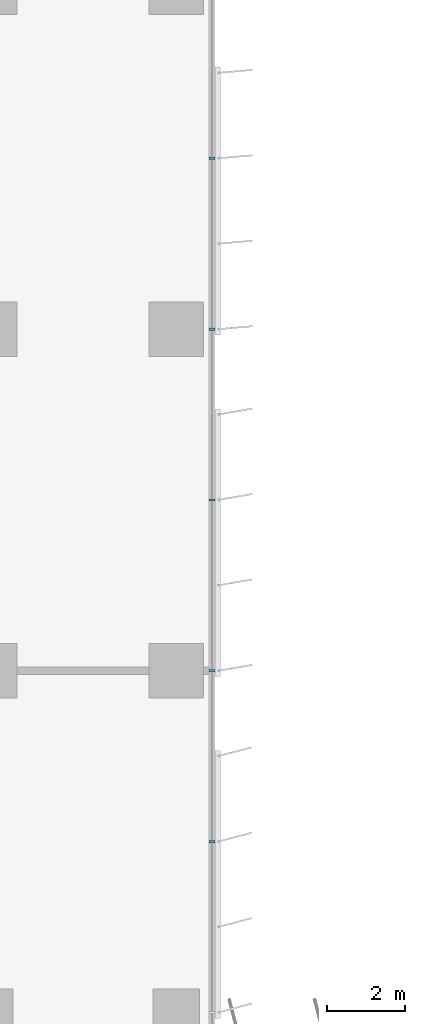
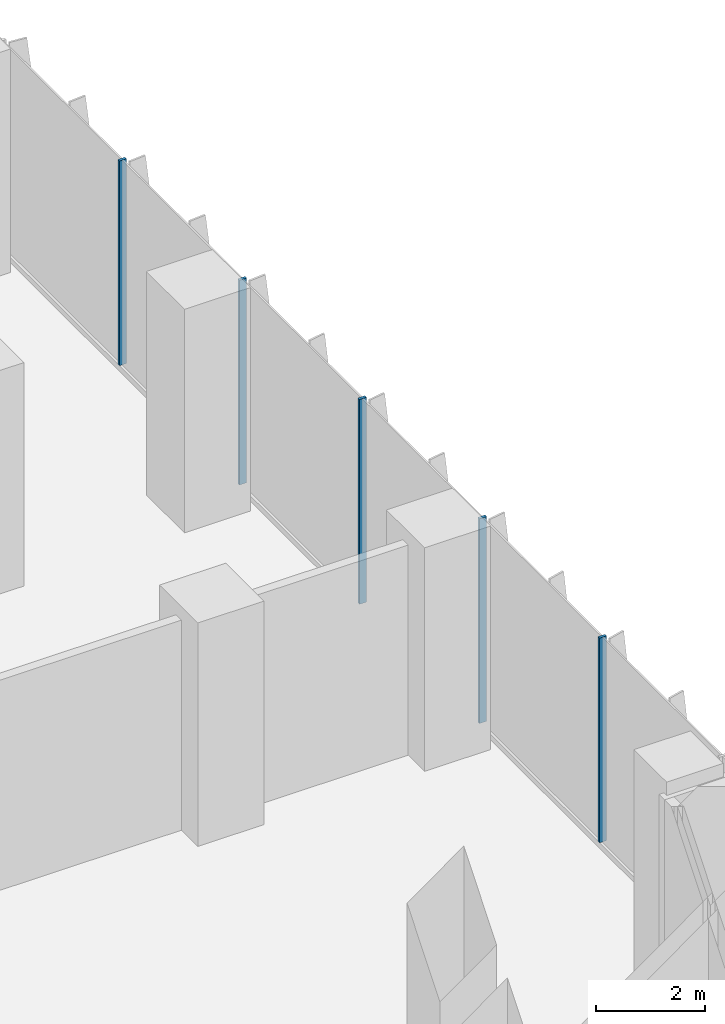
# One storey, part 5 of 23: 5 members, 1 element without a shape of its own.
"""IFC4 building model written with IfcOpenShell, lengths in metres."""

from ifc_helpers import new_model, si_unit, direction, frame, origin, origin_2d, place, context, subcontext, project, spatial, rectangle, extrude, source, transform, mapped, material, material_profile, profile_set, type_object, element, aggregate, save


model = new_model("IFC4")

# Units and contexts
model_context = context("Model", 3, precision=1e-05, world=origin(), true_north=direction((0.0, 1.0)))
body_context = subcontext(model_context, "Body", "Model", "MODEL_VIEW")
ifc_project = project(units=[si_unit("LENGTHUNIT", "METRE"), si_unit("AREAUNIT", "SQUARE_METRE"), si_unit("VOLUMEUNIT", "CUBIC_METRE"), si_unit("PLANEANGLEUNIT", "RADIAN"), si_unit("MASSUNIT", "GRAM", prefix="KILO")], contexts=[model_context])

# Site, building, storey
site_placement = place(None, origin())
site = spatial("IfcSite", under=ifc_project, at=site_placement, CompositionType="ELEMENT")
building_placement = place(site_placement, origin())
building = spatial("IfcBuilding", under=site, at=building_placement, Name="Kemantara Hotel Tower", CompositionType="ELEMENT")
storey_placement = place(building_placement, frame((0.0, 0.0, 71.0)))
storey = spatial("IfcBuildingStorey", under=building, at=storey_placement, Name="L16", CompositionType="ELEMENT", Elevation=71.0)

# Curtain wall, members
ifc_material_1 = material(Name="Low-E tinted double insulated glass 36 mm", Category="glass")
curtain_wall_type = type_object("IfcCurtainWallType", Name="TOWER CURTAIN WALL, FRONT FACES", PredefinedType="USERDEFINED", material=ifc_material_1)
curtain_wall_placement = place(storey_placement, origin())
curtain_wall = element("IfcCurtainWall", 1, at=curtain_wall_placement, inside=storey, type_object=curtain_wall_type, Name="CW4 L16 T1-R08-1", ObjectType="TOWER CURTAIN WALL, FRONT FACES", PredefinedType="USERDEFINED")
ifc_material_2 = material(Name="Aluminium 6063-T6 bronze anodised", Category="aluminium")
ifc_material_profile = material_profile(ifc_material_2, rectangle(XDim=0.14990234375, YDim=0.06005859375, at=origin_2d()), Name="TOWER CURTAIN WALL, FRONT FACES MULLION")
ifc_profile_set = profile_set([ifc_material_profile], Name="Aluminium 6063-T6 bronze anodised")
member_type = type_object("IfcMemberType", Name="TOWER CURTAIN WALL, FRONT FACES MULLION", PredefinedType="MULLION", material=ifc_profile_set)
shared_shape = source(origin(), body_context, "Body", "SweptSolid", [
    extrude(rectangle(XDim=0.14990234375, YDim=0.06005859375, at=origin_2d()), origin(), (0.0, 0.0, 1.0), 4.579833984375),
])
member_1_placement = place(storey_placement, frame((26.72509765625, 31.800048828125, 0.1201171875), z_axis=(0.0, 0.0, 1.0), x_axis=(-1.0, 0.0, 0.0)))
member_1 = element("IfcMember", 2, at=member_1_placement, type_object=member_type, Name="CW4 mullion T1-R08-1.3", PredefinedType="MULLION", context=body_context, shape_type="MappedRepresentation", body=[
    mapped(shared_shape, transform((0.0, 0.0, 0.0))),
])
member_2_placement = place(storey_placement, frame((26.72509765625, 36.199951171875, 0.1201171875), z_axis=(0.0, 0.0, 1.0), x_axis=(-1.0, 0.0, 0.0)))
member_2 = element("IfcMember", 3, at=member_2_placement, type_object=member_type, Name="CW4 mullion T1-R08-1.4", PredefinedType="MULLION", context=body_context, shape_type="MappedRepresentation", body=[
    mapped(shared_shape, transform((0.0, 0.0, 0.0))),
])
member_3_placement = place(storey_placement, frame((26.72509765625, 40.60009765625, 0.1201171875), z_axis=(0.0, 0.0, 1.0), x_axis=(-1.0, 0.0, 0.0)))
member_3 = element("IfcMember", 4, at=member_3_placement, type_object=member_type, Name="CW4 mullion T1-R08-1.5", PredefinedType="MULLION", context=body_context, shape_type="MappedRepresentation", body=[
    mapped(shared_shape, transform((0.0, 0.0, 0.0))),
])
member_4_placement = place(storey_placement, frame((26.72509765625, 45.0, 0.1201171875), z_axis=(0.0, 0.0, 1.0), x_axis=(-1.0, 0.0, 0.0)))
member_4 = element("IfcMember", 5, at=member_4_placement, type_object=member_type, Name="CW4 mullion T1-R08-1.6", PredefinedType="MULLION", context=body_context, shape_type="MappedRepresentation", body=[
    mapped(shared_shape, transform((0.0, 0.0, 0.0))),
])
member_5_placement = place(storey_placement, frame((26.72509765625, 49.39990234375, 0.1201171875), z_axis=(0.0, 0.0, 1.0), x_axis=(-1.0, 0.0, 0.0)))
member_5 = element("IfcMember", 6, at=member_5_placement, type_object=member_type, Name="CW4 mullion T1-R08-1.7", PredefinedType="MULLION", context=body_context, shape_type="MappedRepresentation", body=[
    mapped(shared_shape, transform((0.0, 0.0, 0.0))),
])
aggregate(curtain_wall, [member_1, member_2, member_3, member_4, member_5])

save(model, "model.ifc")
